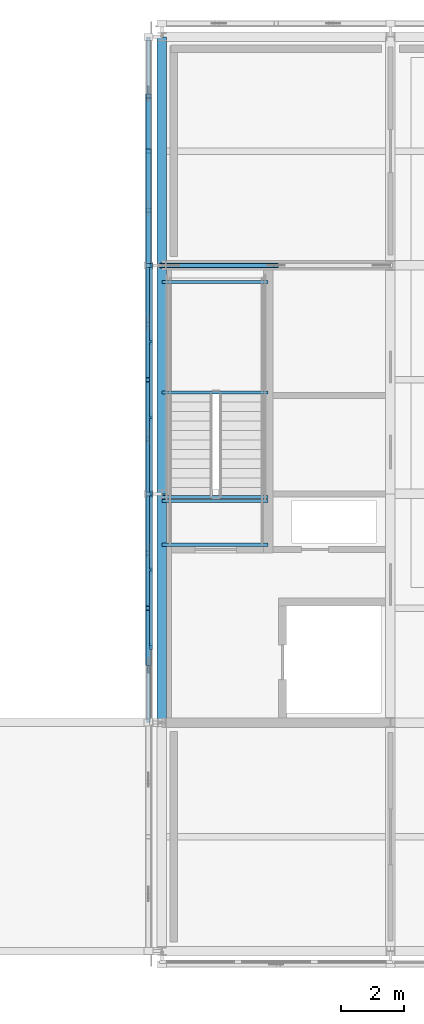
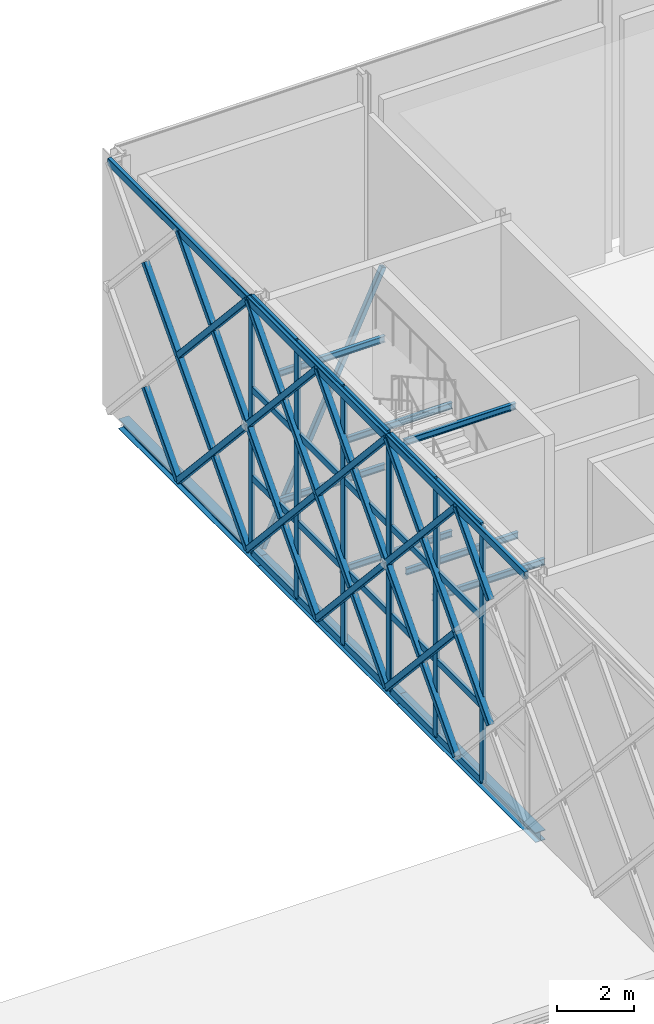
# One storey, part 42 of 76: 59 members, 10 beams, 2 elements without a shape of their own.
"""IFC4 building model written with IfcOpenShell, lengths in metres."""

from ifc_helpers import new_model, si_unit, direction, frame, origin, origin_2d, place, context, subcontext, project, spatial, rectangle, hollow_rectangle, i_section, extrude, material, material_profile, profile_set, type_object, element, aggregate, save


model = new_model("IFC4")

# Units and contexts
model_context = context("Model", 3, precision=1e-05, world=origin(), true_north=direction((0.0, 1.0)))
body_context = subcontext(model_context, "Body", "Model", "MODEL_VIEW")
ifc_project = project(units=[si_unit("LENGTHUNIT", "METRE"), si_unit("AREAUNIT", "SQUARE_METRE"), si_unit("VOLUMEUNIT", "CUBIC_METRE"), si_unit("PLANEANGLEUNIT", "RADIAN"), si_unit("MASSUNIT", "GRAM", prefix="KILO")], contexts=[model_context])

# Site, building, storey
site_placement = place(None, origin())
site = spatial("IfcSite", under=ifc_project, at=site_placement, CompositionType="ELEMENT")
building_placement = place(site_placement, origin())
building = spatial("IfcBuilding", under=site, at=building_placement, Name="Zlatovets Crest Museum", CompositionType="ELEMENT")
storey_placement = place(building_placement, frame((0.0, 0.0, 17.10009765625)))
storey = spatial("IfcBuildingStorey", under=building, at=storey_placement, Name="L04", CompositionType="ELEMENT", Elevation=17.10009765625)

# Beams
ifc_material_1 = material(Name="Structural steel S355J2", Category="steel")
ifc_material_profile_1 = material_profile(ifc_material_1, i_section(OverallWidth=0.300048828125, OverallDepth=0.31005859375, WebThickness=0.009033203125, FlangeThickness=0.015380859375, FilletRadius=0.027099609375, at=origin_2d()), Name="HEA 320")
ifc_profile_set_1 = profile_set([ifc_material_profile_1], Name="Structural steel S355J2")
beam_type_1 = type_object("IfcBeamType", Name="Beam_B-04", PredefinedType="BEAM", material=ifc_profile_set_1)
for number, where, z_axis, x_axis, name in (
    (1, (57.60009765625, 93.60009765625, -0.39501953125), (0.0, 1.0, 0.0), (-1.0, 0.0, 0.0), "V1 L04 Grid Beam B-04"),
    (2, (57.60009765625, 100.800048828125, -0.39501953125), (0.0, 1.0, 0.0), (-1.0, 0.0, 0.0), "V1 L04 Grid Beam B-04"),
    (3, (57.60009765625, 108.0, -0.39501953125), (0.0, 1.0, 0.0), (-1.0, 0.0, 0.0), "V1 L04 Grid Beam B-04"),
):
    element("IfcBeam", number, at=place(storey_placement, frame(where, z_axis=z_axis, x_axis=x_axis)), inside=storey, type_object=beam_type_1, Name=name, PredefinedType="BEAM", context=body_context, shape_type="SweptSolid", body=[
        extrude(i_section(OverallWidth=0.300048828125, OverallDepth=0.31005859375, WebThickness=0.009033203125, FlangeThickness=0.015380859375, FilletRadius=0.027099609375, at=origin_2d()), origin(), (0.0, 0.0, 1.0), 7.199951171875),
    ])
ifc_material_profile_2 = material_profile(ifc_material_1, i_section(OverallWidth=0.10009765625, OverallDepth=0.199951171875, WebThickness=0.005615234375, FlangeThickness=0.008544921875, FilletRadius=0.011962890625, at=origin_2d()), Name="IPE 200")
ifc_profile_set_2 = profile_set([ifc_material_profile_2], Name="Structural steel S355J2")
beam_type_2 = type_object("IfcBeamType", Name="Beam_PR-02", PredefinedType="LINTEL", material=ifc_profile_set_2)
for number, where, z_axis, x_axis, name in (
    (4, (57.60009765625, 100.699951171875, 7.760009765625), (1.0, 0.0, 0.0), (0.0, 1.0, 0.0), "Core C1 L04 Stair Well Header Beam"),
    (5, (57.60009765625, 104.0, 1.724853515625), (1.0, 0.0, 0.0), (0.0, 1.0, 0.0), "Core C1 L04 Half-Landing Support Beam"),
    (6, (57.60009765625, 107.47998046875, 1.724853515625), (1.0, 0.0, 0.0), (0.0, 1.0, 0.0), "Core C1 L04 Half-Landing Support Beam"),
    (7, (57.60009765625, 99.199951171875, 3.75), (1.0, 0.0, 0.0), (0.0, 1.0, 0.0), "Core C1 L04 Half-Landing Support Beam"),
    (8, (57.60009765625, 100.580078125, 3.75), (1.0, 0.0, 0.0), (0.0, 1.0, 0.0), "Core C1 L04 Half-Landing Support Beam"),
    (9, (57.60009765625, 104.0, 5.77490234375), (1.0, 0.0, 0.0), (0.0, 1.0, 0.0), "Core C1 L04 Half-Landing Support Beam"),
    (10, (57.60009765625, 107.47998046875, 5.77490234375), (1.0, 0.0, 0.0), (0.0, 1.0, 0.0), "Core C1 L04 Half-Landing Support Beam"),
):
    element("IfcBeam", number, at=place(storey_placement, frame(where, z_axis=z_axis, x_axis=x_axis)), inside=storey, type_object=beam_type_2, Name=name, PredefinedType="LINTEL", context=body_context, shape_type="SweptSolid", body=[
        extrude(i_section(OverallWidth=0.10009765625, OverallDepth=0.199951171875, WebThickness=0.005615234375, FlangeThickness=0.008544921875, FilletRadius=0.011962890625, at=origin_2d()), origin(), (0.0, 0.0, 1.0), 3.349853515625),
    ])

# Curtain wall, members
ifc_material_2 = material(Name="Bronze-anodised aluminium and low-E triple glass", Category="aluminium")
curtain_wall_type_1 = type_object("IfcCurtainWallType", Name="CW_CW-V1-L04-M3", PredefinedType="NOTDEFINED", material=ifc_material_2)
curtain_wall_1_placement = place(storey_placement, origin())
curtain_wall_1 = element("IfcCurtainWall", 11, at=curtain_wall_1_placement, inside=storey, type_object=curtain_wall_type_1, Name="V1 L04 Expressed Core Glazed Facade", PredefinedType="NOTDEFINED")
ifc_material_3 = material(Name="Bronze-anodised aluminium EN AW-6060", Category="aluminium")
ifc_material_profile_3 = material_profile(ifc_material_3, rectangle(XDim=0.090087890625, YDim=0.199951171875, at=origin_2d()), Name="ALU 90x200")
ifc_profile_set_3 = profile_set([ifc_material_profile_3], Name="Bronze-anodised aluminium EN AW-6060")
member_type_1 = type_object("IfcMemberType", Name="CWMull_M2", PredefinedType="MULLION", material=ifc_profile_set_3)
member_1_placement = place(storey_placement, frame((57.260009765625, 107.969970703125, 0.0), z_axis=(0.0, 0.0, 1.0), x_axis=(1.0, 0.0, 0.0)))
member_1 = element("IfcMember", 12, at=member_1_placement, type_object=member_type_1, Name="CW-V1-L04-M3 mullion 1", PredefinedType="MULLION", context=body_context, shape_type="SweptSolid", body=[
    extrude(rectangle(XDim=0.090087890625, YDim=0.199951171875, at=origin_2d()), origin(), (0.0, 0.0, 1.0), 8.099853515625),
])
member_2_placement = place(storey_placement, frame((57.260009765625, 105.60009765625, 0.0), z_axis=(0.0, 0.0, 1.0), x_axis=(1.0, 0.0, 0.0)))
member_2 = element("IfcMember", 13, at=member_2_placement, type_object=member_type_1, Name="CW-V1-L04-M3 mullion 2", PredefinedType="MULLION", context=body_context, shape_type="SweptSolid", body=[
    extrude(rectangle(XDim=0.090087890625, YDim=0.199951171875, at=origin_2d()), origin(), (0.0, 0.0, 1.0), 8.099853515625),
])
member_3_placement = place(storey_placement, frame((57.260009765625, 103.199951171875, 0.0), z_axis=(0.0, 0.0, 1.0), x_axis=(1.0, 0.0, 0.0)))
member_3 = element("IfcMember", 14, at=member_3_placement, type_object=member_type_1, Name="CW-V1-L04-M3 mullion 3", PredefinedType="MULLION", context=body_context, shape_type="SweptSolid", body=[
    extrude(rectangle(XDim=0.090087890625, YDim=0.199951171875, at=origin_2d()), origin(), (0.0, 0.0, 1.0), 8.099853515625),
])
member_4_placement = place(storey_placement, frame((57.260009765625, 100.830078125, 0.0), z_axis=(0.0, 0.0, 1.0), x_axis=(1.0, 0.0, 0.0)))
member_4 = element("IfcMember", 15, at=member_4_placement, type_object=member_type_1, Name="CW-V1-L04-M3 mullion 4", PredefinedType="MULLION", context=body_context, shape_type="SweptSolid", body=[
    extrude(rectangle(XDim=0.090087890625, YDim=0.199951171875, at=origin_2d()), origin(), (0.0, 0.0, 1.0), 8.099853515625),
])

curtain_wall_type_2 = type_object("IfcCurtainWallType", Name="CW_CW-V1-L04-M0", PredefinedType="NOTDEFINED", material=ifc_material_2)
curtain_wall_2_placement = place(storey_placement, origin())
curtain_wall_2 = element("IfcCurtainWall", 16, at=curtain_wall_2_placement, inside=storey, type_object=curtain_wall_type_2, Name="V1 L04 Expressed Core Glazed Facade", PredefinedType="NOTDEFINED")
member_5_placement = place(storey_placement, frame((57.260009765625, 100.77001953125, 0.0), z_axis=(0.0, 0.0, 1.0), x_axis=(1.0, 0.0, 0.0)))
member_5 = element("IfcMember", 17, at=member_5_placement, type_object=member_type_1, Name="CW-V1-L04-M0 mullion 1", PredefinedType="MULLION", context=body_context, shape_type="SweptSolid", body=[
    extrude(rectangle(XDim=0.090087890625, YDim=0.199951171875, at=origin_2d()), origin(), (0.0, 0.0, 1.0), 8.099853515625),
])
member_6_placement = place(storey_placement, frame((57.260009765625, 98.39990234375, 0.0), z_axis=(0.0, 0.0, 1.0), x_axis=(1.0, 0.0, 0.0)))
member_6 = element("IfcMember", 18, at=member_6_placement, type_object=member_type_1, Name="CW-V1-L04-M0 mullion 2", PredefinedType="MULLION", context=body_context, shape_type="SweptSolid", body=[
    extrude(rectangle(XDim=0.090087890625, YDim=0.199951171875, at=origin_2d()), origin(), (0.0, 0.0, 1.0), 8.099853515625),
])
member_7_placement = place(storey_placement, frame((57.260009765625, 96.0, 0.0), z_axis=(0.0, 0.0, 1.0), x_axis=(1.0, 0.0, 0.0)))
member_7 = element("IfcMember", 19, at=member_7_placement, type_object=member_type_1, Name="CW-V1-L04-M0 mullion 3", PredefinedType="MULLION", context=body_context, shape_type="SweptSolid", body=[
    extrude(rectangle(XDim=0.090087890625, YDim=0.199951171875, at=origin_2d()), origin(), (0.0, 0.0, 1.0), 8.099853515625),
])

# Member
ifc_material_profile_4 = material_profile(ifc_material_3, rectangle(XDim=0.090087890625, YDim=0.199951171875, at=origin_2d()), Name="ALU 90x200")
ifc_profile_set_4 = profile_set([ifc_material_profile_4], Name="Bronze-anodised aluminium EN AW-6060")
member_type_2 = type_object("IfcMemberType", Name="CWTrans_T2", PredefinedType="USERDEFINED", material=ifc_profile_set_4)
member_8_placement = place(storey_placement, frame((57.260009765625, 107.93994140625, 0.02978515625), z_axis=(0.0, -1.0, 0.0), x_axis=(1.0, 0.0, 0.0)))
member_8 = element("IfcMember", 20, at=member_8_placement, type_object=member_type_2, Name="CW-V1-L04-M3 transom 1.1", ObjectType="TRANSOM", PredefinedType="USERDEFINED", context=body_context, shape_type="SweptSolid", body=[
    extrude(rectangle(XDim=0.090087890625, YDim=0.199951171875, at=origin_2d()), origin(), (0.0, 0.0, 1.0), 2.31005859375),
])

member_9_placement = place(storey_placement, frame((57.260009765625, 107.93994140625, 2.39990234375), z_axis=(0.0, -1.0, 0.0), x_axis=(1.0, 0.0, 0.0)))
member_9 = element("IfcMember", 21, at=member_9_placement, type_object=member_type_2, Name="CW-V1-L04-M3 transom 1.2", ObjectType="TRANSOM", PredefinedType="USERDEFINED", context=body_context, shape_type="SweptSolid", body=[
    extrude(rectangle(XDim=0.090087890625, YDim=0.199951171875, at=origin_2d()), origin(), (0.0, 0.0, 1.0), 2.31005859375),
])

member_10_placement = place(storey_placement, frame((57.260009765625, 107.93994140625, 5.199951171875), z_axis=(0.0, -1.0, 0.0), x_axis=(1.0, 0.0, 0.0)))
member_10 = element("IfcMember", 22, at=member_10_placement, type_object=member_type_2, Name="CW-V1-L04-M3 transom 1.3", ObjectType="TRANSOM", PredefinedType="USERDEFINED", context=body_context, shape_type="SweptSolid", body=[
    extrude(rectangle(XDim=0.090087890625, YDim=0.199951171875, at=origin_2d()), origin(), (0.0, 0.0, 1.0), 2.31005859375),
])

member_11_placement = place(storey_placement, frame((57.260009765625, 107.93994140625, 8.06982421875), z_axis=(0.0, -1.0, 0.0), x_axis=(1.0, 0.0, 0.0)))
member_11 = element("IfcMember", 23, at=member_11_placement, type_object=member_type_2, Name="CW-V1-L04-M3 transom 1.4", ObjectType="TRANSOM", PredefinedType="USERDEFINED", context=body_context, shape_type="SweptSolid", body=[
    extrude(rectangle(XDim=0.090087890625, YDim=0.199951171875, at=origin_2d()), origin(), (0.0, 0.0, 1.0), 2.31005859375),
])

member_12_placement = place(storey_placement, frame((57.260009765625, 105.570068359375, 0.02978515625), z_axis=(0.0, -1.0, 0.0), x_axis=(1.0, 0.0, 0.0)))
member_12 = element("IfcMember", 24, at=member_12_placement, type_object=member_type_2, Name="CW-V1-L04-M3 transom 2.1", ObjectType="TRANSOM", PredefinedType="USERDEFINED", context=body_context, shape_type="SweptSolid", body=[
    extrude(rectangle(XDim=0.090087890625, YDim=0.199951171875, at=origin_2d()), origin(), (0.0, 0.0, 1.0), 2.340087890625),
])

member_13_placement = place(storey_placement, frame((57.260009765625, 105.570068359375, 2.39990234375), z_axis=(0.0, -1.0, 0.0), x_axis=(1.0, 0.0, 0.0)))
member_13 = element("IfcMember", 25, at=member_13_placement, type_object=member_type_2, Name="CW-V1-L04-M3 transom 2.2", ObjectType="TRANSOM", PredefinedType="USERDEFINED", context=body_context, shape_type="SweptSolid", body=[
    extrude(rectangle(XDim=0.090087890625, YDim=0.199951171875, at=origin_2d()), origin(), (0.0, 0.0, 1.0), 2.340087890625),
])

member_14_placement = place(storey_placement, frame((57.260009765625, 105.570068359375, 5.199951171875), z_axis=(0.0, -1.0, 0.0), x_axis=(1.0, 0.0, 0.0)))
member_14 = element("IfcMember", 26, at=member_14_placement, type_object=member_type_2, Name="CW-V1-L04-M3 transom 2.3", ObjectType="TRANSOM", PredefinedType="USERDEFINED", context=body_context, shape_type="SweptSolid", body=[
    extrude(rectangle(XDim=0.090087890625, YDim=0.199951171875, at=origin_2d()), origin(), (0.0, 0.0, 1.0), 2.340087890625),
])

member_15_placement = place(storey_placement, frame((57.260009765625, 105.570068359375, 8.06982421875), z_axis=(0.0, -1.0, 0.0), x_axis=(1.0, 0.0, 0.0)))
member_15 = element("IfcMember", 27, at=member_15_placement, type_object=member_type_2, Name="CW-V1-L04-M3 transom 2.4", ObjectType="TRANSOM", PredefinedType="USERDEFINED", context=body_context, shape_type="SweptSolid", body=[
    extrude(rectangle(XDim=0.090087890625, YDim=0.199951171875, at=origin_2d()), origin(), (0.0, 0.0, 1.0), 2.340087890625),
])

member_16_placement = place(storey_placement, frame((57.260009765625, 103.169921875, 0.02978515625), z_axis=(0.0, -1.0, 0.0), x_axis=(1.0, 0.0, 0.0)))
member_16 = element("IfcMember", 28, at=member_16_placement, type_object=member_type_2, Name="CW-V1-L04-M3 transom 3.1", ObjectType="TRANSOM", PredefinedType="USERDEFINED", context=body_context, shape_type="SweptSolid", body=[
    extrude(rectangle(XDim=0.090087890625, YDim=0.199951171875, at=origin_2d()), origin(), (0.0, 0.0, 1.0), 2.309814453125),
])

member_17_placement = place(storey_placement, frame((57.260009765625, 103.169921875, 2.39990234375), z_axis=(0.0, -1.0, 0.0), x_axis=(1.0, 0.0, 0.0)))
member_17 = element("IfcMember", 29, at=member_17_placement, type_object=member_type_2, Name="CW-V1-L04-M3 transom 3.2", ObjectType="TRANSOM", PredefinedType="USERDEFINED", context=body_context, shape_type="SweptSolid", body=[
    extrude(rectangle(XDim=0.090087890625, YDim=0.199951171875, at=origin_2d()), origin(), (0.0, 0.0, 1.0), 2.309814453125),
])

member_18_placement = place(storey_placement, frame((57.260009765625, 103.169921875, 5.199951171875), z_axis=(0.0, -1.0, 0.0), x_axis=(1.0, 0.0, 0.0)))
member_18 = element("IfcMember", 30, at=member_18_placement, type_object=member_type_2, Name="CW-V1-L04-M3 transom 3.3", ObjectType="TRANSOM", PredefinedType="USERDEFINED", context=body_context, shape_type="SweptSolid", body=[
    extrude(rectangle(XDim=0.090087890625, YDim=0.199951171875, at=origin_2d()), origin(), (0.0, 0.0, 1.0), 2.309814453125),
])

member_19_placement = place(storey_placement, frame((57.260009765625, 103.169921875, 8.06982421875), z_axis=(0.0, -1.0, 0.0), x_axis=(1.0, 0.0, 0.0)))
member_19 = element("IfcMember", 31, at=member_19_placement, type_object=member_type_2, Name="CW-V1-L04-M3 transom 3.4", ObjectType="TRANSOM", PredefinedType="USERDEFINED", context=body_context, shape_type="SweptSolid", body=[
    extrude(rectangle(XDim=0.090087890625, YDim=0.199951171875, at=origin_2d()), origin(), (0.0, 0.0, 1.0), 2.309814453125),
])

aggregate(curtain_wall_1, [member_1, member_2, member_3, member_4, member_8, member_9, member_10, member_11, member_12, member_13, member_14, member_15, member_16, member_17, member_18, member_19])

member_20_placement = place(storey_placement, frame((57.260009765625, 100.739990234375, 0.02978515625), z_axis=(0.0, -1.0, 0.0), x_axis=(1.0, 0.0, 0.0)))
member_20 = element("IfcMember", 32, at=member_20_placement, type_object=member_type_2, Name="CW-V1-L04-M0 transom 1.1", ObjectType="TRANSOM", PredefinedType="USERDEFINED", context=body_context, shape_type="SweptSolid", body=[
    extrude(rectangle(XDim=0.090087890625, YDim=0.199951171875, at=origin_2d()), origin(), (0.0, 0.0, 1.0), 2.31005859375),
])

member_21_placement = place(storey_placement, frame((57.260009765625, 100.739990234375, 2.39990234375), z_axis=(0.0, -1.0, 0.0), x_axis=(1.0, 0.0, 0.0)))
member_21 = element("IfcMember", 33, at=member_21_placement, type_object=member_type_2, Name="CW-V1-L04-M0 transom 1.2", ObjectType="TRANSOM", PredefinedType="USERDEFINED", context=body_context, shape_type="SweptSolid", body=[
    extrude(rectangle(XDim=0.090087890625, YDim=0.199951171875, at=origin_2d()), origin(), (0.0, 0.0, 1.0), 2.31005859375),
])

member_22_placement = place(storey_placement, frame((57.260009765625, 100.739990234375, 5.199951171875), z_axis=(0.0, -1.0, 0.0), x_axis=(1.0, 0.0, 0.0)))
member_22 = element("IfcMember", 34, at=member_22_placement, type_object=member_type_2, Name="CW-V1-L04-M0 transom 1.3", ObjectType="TRANSOM", PredefinedType="USERDEFINED", context=body_context, shape_type="SweptSolid", body=[
    extrude(rectangle(XDim=0.090087890625, YDim=0.199951171875, at=origin_2d()), origin(), (0.0, 0.0, 1.0), 2.31005859375),
])

member_23_placement = place(storey_placement, frame((57.260009765625, 100.739990234375, 8.06982421875), z_axis=(0.0, -1.0, 0.0), x_axis=(1.0, 0.0, 0.0)))
member_23 = element("IfcMember", 35, at=member_23_placement, type_object=member_type_2, Name="CW-V1-L04-M0 transom 1.4", ObjectType="TRANSOM", PredefinedType="USERDEFINED", context=body_context, shape_type="SweptSolid", body=[
    extrude(rectangle(XDim=0.090087890625, YDim=0.199951171875, at=origin_2d()), origin(), (0.0, 0.0, 1.0), 2.31005859375),
])

member_24_placement = place(storey_placement, frame((57.260009765625, 98.3701171875, 0.02978515625), z_axis=(0.0, -1.0, 0.0), x_axis=(1.0, 0.0, 0.0)))
member_24 = element("IfcMember", 36, at=member_24_placement, type_object=member_type_2, Name="CW-V1-L04-M0 transom 2.1", ObjectType="TRANSOM", PredefinedType="USERDEFINED", context=body_context, shape_type="SweptSolid", body=[
    extrude(rectangle(XDim=0.090087890625, YDim=0.199951171875, at=origin_2d()), origin(), (0.0, 0.0, 1.0), 2.340087890625),
])

member_25_placement = place(storey_placement, frame((57.260009765625, 98.3701171875, 2.39990234375), z_axis=(0.0, -1.0, 0.0), x_axis=(1.0, 0.0, 0.0)))
member_25 = element("IfcMember", 37, at=member_25_placement, type_object=member_type_2, Name="CW-V1-L04-M0 transom 2.2", ObjectType="TRANSOM", PredefinedType="USERDEFINED", context=body_context, shape_type="SweptSolid", body=[
    extrude(rectangle(XDim=0.090087890625, YDim=0.199951171875, at=origin_2d()), origin(), (0.0, 0.0, 1.0), 2.340087890625),
])

member_26_placement = place(storey_placement, frame((57.260009765625, 98.3701171875, 5.199951171875), z_axis=(0.0, -1.0, 0.0), x_axis=(1.0, 0.0, 0.0)))
member_26 = element("IfcMember", 38, at=member_26_placement, type_object=member_type_2, Name="CW-V1-L04-M0 transom 2.3", ObjectType="TRANSOM", PredefinedType="USERDEFINED", context=body_context, shape_type="SweptSolid", body=[
    extrude(rectangle(XDim=0.090087890625, YDim=0.199951171875, at=origin_2d()), origin(), (0.0, 0.0, 1.0), 2.340087890625),
])

member_27_placement = place(storey_placement, frame((57.260009765625, 98.3701171875, 8.06982421875), z_axis=(0.0, -1.0, 0.0), x_axis=(1.0, 0.0, 0.0)))
member_27 = element("IfcMember", 39, at=member_27_placement, type_object=member_type_2, Name="CW-V1-L04-M0 transom 2.4", ObjectType="TRANSOM", PredefinedType="USERDEFINED", context=body_context, shape_type="SweptSolid", body=[
    extrude(rectangle(XDim=0.090087890625, YDim=0.199951171875, at=origin_2d()), origin(), (0.0, 0.0, 1.0), 2.340087890625),
])

aggregate(curtain_wall_2, [member_5, member_6, member_7, member_20, member_21, member_22, member_23, member_24, member_25, member_26, member_27])

# Members
ifc_material_4 = material(Name="Weathering bronze-steel S355J2W", Category="steel")
ifc_material_profile_5 = material_profile(ifc_material_4, hollow_rectangle(XDim=0.179931640625, YDim=0.179931640625, WallThickness=0.010009765625, InnerFilletRadius=0.010009765625, OuterFilletRadius=0.02001953125, at=origin_2d()), Name="SHS 180x180x10.0")
ifc_profile_set_5 = profile_set([ifc_material_profile_5], Name="Weathering bronze-steel S355J2W")
member_type_3 = type_object("IfcMemberType", Name="Lattice_XL-01", PredefinedType="BRACE", material=ifc_profile_set_5)
member_28_placement = place(storey_placement, frame((57.179931640625, 113.3359375, 2.004638671875), z_axis=(0.0, -0.673568214247, -0.739125064354), x_axis=(1.0, 0.0, 0.0)))
element("IfcMember", 40, at=member_28_placement, inside=storey, type_object=member_type_3, Name="Split Crossing Bronze Lattice Diagonal Lower", PredefinedType="BRACE", context=body_context, shape_type="SweptSolid", body=[
    extrude(hollow_rectangle(XDim=0.179931640625, YDim=0.179931640625, WallThickness=0.010009765625, InnerFilletRadius=0.010009765625, OuterFilletRadius=0.02001953125, at=origin_2d()), origin(), (0.0, 0.0, 1.0), 2.5771484375),
])
member_29_placement = place(storey_placement, frame((57.179931640625, 111.60009765625, 0.099853515625), z_axis=(0.0, -0.673618118362, 0.739079583411), x_axis=(1.0, 0.0, 0.0)))
element("IfcMember", 41, at=member_29_placement, inside=storey, type_object=member_type_3, Name="Continuous Bronze Lattice Diagonal", PredefinedType="BRACE", context=body_context, shape_type="SweptSolid", body=[
    extrude(hollow_rectangle(XDim=0.179931640625, YDim=0.179931640625, WallThickness=0.010009765625, InnerFilletRadius=0.010009765625, OuterFilletRadius=0.02001953125, at=origin_2d()), origin(), (0.0, 0.0, 1.0), 5.344482421875),
])
for number, where, z_axis, x_axis, name in (
    (42, (57.179931640625, 111.60009765625, 4.0498046875), (0.0, -0.673619963761, -0.739077901457), (1.0, 0.0, 0.0), "Split Crossing Bronze Lattice Diagonal Upper"),
    (43, (57.179931640625, 109.736083984375, 2.004638671875), (0.0, -0.673619963761, -0.739077901457), (1.0, 0.0, 0.0), "Split Crossing Bronze Lattice Diagonal Lower"),
    (44, (57.179931640625, 113.3359375, 5.95458984375), (0.0, -0.673568214247, -0.739125064354), (1.0, 0.0, 0.0), "Split Crossing Bronze Lattice Diagonal Lower"),
):
    element("IfcMember", number, at=place(storey_placement, frame(where, z_axis=z_axis, x_axis=x_axis)), inside=storey, type_object=member_type_3, Name=name, PredefinedType="BRACE", context=body_context, shape_type="SweptSolid", body=[
        extrude(hollow_rectangle(XDim=0.179931640625, YDim=0.179931640625, WallThickness=0.010009765625, InnerFilletRadius=0.010009765625, OuterFilletRadius=0.02001953125, at=origin_2d()), origin(), (0.0, 0.0, 1.0), 2.5771484375),
    ])
member_30_placement = place(storey_placement, frame((57.179931640625, 111.60009765625, 4.0498046875), z_axis=(0.0, -0.673595375981, 0.739100310822), x_axis=(1.0, 0.0, 0.0)))
element("IfcMember", 45, at=member_30_placement, inside=storey, type_object=member_type_3, Name="Continuous Bronze Lattice Diagonal", PredefinedType="BRACE", context=body_context, shape_type="SweptSolid", body=[
    extrude(hollow_rectangle(XDim=0.179931640625, YDim=0.179931640625, WallThickness=0.010009765625, InnerFilletRadius=0.010009765625, OuterFilletRadius=0.02001953125, at=origin_2d()), origin(), (0.0, 0.0, 1.0), 5.344482421875),
])
for number, where, z_axis, x_axis, name in (
    (46, (57.179931640625, 111.60009765625, 8.0), (0.0, -0.673619963761, -0.739077901457), (1.0, 0.0, 0.0), "Split Crossing Bronze Lattice Diagonal Upper"),
    (47, (57.179931640625, 109.736083984375, 5.95458984375), (0.0, -0.673619963761, -0.739077901457), (1.0, 0.0, 0.0), "Split Crossing Bronze Lattice Diagonal Lower"),
):
    element("IfcMember", number, at=place(storey_placement, frame(where, z_axis=z_axis, x_axis=x_axis)), inside=storey, type_object=member_type_3, Name=name, PredefinedType="BRACE", context=body_context, shape_type="SweptSolid", body=[
        extrude(hollow_rectangle(XDim=0.179931640625, YDim=0.179931640625, WallThickness=0.010009765625, InnerFilletRadius=0.010009765625, OuterFilletRadius=0.02001953125, at=origin_2d()), origin(), (0.0, 0.0, 1.0), 2.5771484375),
    ])
member_31_placement = place(storey_placement, frame((57.179931640625, 108.0, 0.099853515625), z_axis=(0.0, -0.673618118362, 0.739079583411), x_axis=(1.0, 0.0, 0.0)))
element("IfcMember", 48, at=member_31_placement, inside=storey, type_object=member_type_3, Name="Continuous Bronze Lattice Diagonal", PredefinedType="BRACE", context=body_context, shape_type="SweptSolid", body=[
    extrude(hollow_rectangle(XDim=0.179931640625, YDim=0.179931640625, WallThickness=0.010009765625, InnerFilletRadius=0.010009765625, OuterFilletRadius=0.02001953125, at=origin_2d()), origin(), (0.0, 0.0, 1.0), 5.344482421875),
])
for number, where, z_axis, x_axis, name in (
    (49, (57.179931640625, 108.0, 4.0498046875), (0.0, -0.673619963761, -0.739077901457), (1.0, 0.0, 0.0), "Split Crossing Bronze Lattice Diagonal Upper"),
    (50, (57.179931640625, 106.135986328125, 2.004638671875), (0.0, -0.673619963761, -0.739077901457), (1.0, 0.0, 0.0), "Split Crossing Bronze Lattice Diagonal Lower"),
):
    element("IfcMember", number, at=place(storey_placement, frame(where, z_axis=z_axis, x_axis=x_axis)), inside=storey, type_object=member_type_3, Name=name, PredefinedType="BRACE", context=body_context, shape_type="SweptSolid", body=[
        extrude(hollow_rectangle(XDim=0.179931640625, YDim=0.179931640625, WallThickness=0.010009765625, InnerFilletRadius=0.010009765625, OuterFilletRadius=0.02001953125, at=origin_2d()), origin(), (0.0, 0.0, 1.0), 2.5771484375),
    ])
member_32_placement = place(storey_placement, frame((57.179931640625, 104.39990234375, 0.099853515625), z_axis=(0.0, -0.673593164257, 0.739102326519), x_axis=(1.0, 0.0, 0.0)))
element("IfcMember", 51, at=member_32_placement, inside=storey, type_object=member_type_3, Name="Continuous Bronze Lattice Diagonal", PredefinedType="BRACE", context=body_context, shape_type="SweptSolid", body=[
    extrude(hollow_rectangle(XDim=0.179931640625, YDim=0.179931640625, WallThickness=0.010009765625, InnerFilletRadius=0.010009765625, OuterFilletRadius=0.02001953125, at=origin_2d()), origin(), (0.0, 0.0, 1.0), 5.34423828125),
])
for number, where, z_axis, x_axis, name in (
    (52, (57.179931640625, 104.39990234375, 4.0498046875), (0.0, -0.673568214247, -0.739125064354), (1.0, 0.0, 0.0), "Split Crossing Bronze Lattice Diagonal Upper"),
    (53, (57.179931640625, 102.535888671875, 2.004638671875), (0.0, -0.673568214247, -0.739125064354), (1.0, 0.0, 0.0), "Split Crossing Bronze Lattice Diagonal Lower"),
):
    element("IfcMember", number, at=place(storey_placement, frame(where, z_axis=z_axis, x_axis=x_axis)), inside=storey, type_object=member_type_3, Name=name, PredefinedType="BRACE", context=body_context, shape_type="SweptSolid", body=[
        extrude(hollow_rectangle(XDim=0.179931640625, YDim=0.179931640625, WallThickness=0.010009765625, InnerFilletRadius=0.010009765625, OuterFilletRadius=0.02001953125, at=origin_2d()), origin(), (0.0, 0.0, 1.0), 2.5771484375),
    ])
member_33_placement = place(storey_placement, frame((57.179931640625, 108.0, 4.0498046875), z_axis=(0.0, -0.673595375981, 0.739100310822), x_axis=(1.0, 0.0, 0.0)))
element("IfcMember", 54, at=member_33_placement, inside=storey, type_object=member_type_3, Name="Continuous Bronze Lattice Diagonal", PredefinedType="BRACE", context=body_context, shape_type="SweptSolid", body=[
    extrude(hollow_rectangle(XDim=0.179931640625, YDim=0.179931640625, WallThickness=0.010009765625, InnerFilletRadius=0.010009765625, OuterFilletRadius=0.02001953125, at=origin_2d()), origin(), (0.0, 0.0, 1.0), 5.344482421875),
])
for number, where, z_axis, x_axis, name in (
    (55, (57.179931640625, 108.0, 8.0), (0.0, -0.673619963761, -0.739077901457), (1.0, 0.0, 0.0), "Split Crossing Bronze Lattice Diagonal Upper"),
    (56, (57.179931640625, 106.135986328125, 5.95458984375), (0.0, -0.673619963761, -0.739077901457), (1.0, 0.0, 0.0), "Split Crossing Bronze Lattice Diagonal Lower"),
):
    element("IfcMember", number, at=place(storey_placement, frame(where, z_axis=z_axis, x_axis=x_axis)), inside=storey, type_object=member_type_3, Name=name, PredefinedType="BRACE", context=body_context, shape_type="SweptSolid", body=[
        extrude(hollow_rectangle(XDim=0.179931640625, YDim=0.179931640625, WallThickness=0.010009765625, InnerFilletRadius=0.010009765625, OuterFilletRadius=0.02001953125, at=origin_2d()), origin(), (0.0, 0.0, 1.0), 2.5771484375),
    ])
member_34_placement = place(storey_placement, frame((57.179931640625, 104.39990234375, 4.0498046875), z_axis=(0.0, -0.67357042132, 0.739123053032), x_axis=(1.0, 0.0, 0.0)))
element("IfcMember", 57, at=member_34_placement, inside=storey, type_object=member_type_3, Name="Continuous Bronze Lattice Diagonal", PredefinedType="BRACE", context=body_context, shape_type="SweptSolid", body=[
    extrude(hollow_rectangle(XDim=0.179931640625, YDim=0.179931640625, WallThickness=0.010009765625, InnerFilletRadius=0.010009765625, OuterFilletRadius=0.02001953125, at=origin_2d()), origin(), (0.0, 0.0, 1.0), 5.344482421875),
])
for number, where, z_axis, x_axis, name in (
    (58, (57.179931640625, 104.39990234375, 8.0), (0.0, -0.673568214247, -0.739125064354), (1.0, 0.0, 0.0), "Split Crossing Bronze Lattice Diagonal Upper"),
    (59, (57.179931640625, 102.535888671875, 5.95458984375), (0.0, -0.673568214247, -0.739125064354), (1.0, 0.0, 0.0), "Split Crossing Bronze Lattice Diagonal Lower"),
):
    element("IfcMember", number, at=place(storey_placement, frame(where, z_axis=z_axis, x_axis=x_axis)), inside=storey, type_object=member_type_3, Name=name, PredefinedType="BRACE", context=body_context, shape_type="SweptSolid", body=[
        extrude(hollow_rectangle(XDim=0.179931640625, YDim=0.179931640625, WallThickness=0.010009765625, InnerFilletRadius=0.010009765625, OuterFilletRadius=0.02001953125, at=origin_2d()), origin(), (0.0, 0.0, 1.0), 2.5771484375),
    ])
member_35_placement = place(storey_placement, frame((57.179931640625, 100.800048828125, 0.099853515625), z_axis=(0.0, -0.673618118362, 0.739079583411), x_axis=(1.0, 0.0, 0.0)))
element("IfcMember", 60, at=member_35_placement, inside=storey, type_object=member_type_3, Name="Continuous Bronze Lattice Diagonal", PredefinedType="BRACE", context=body_context, shape_type="SweptSolid", body=[
    extrude(hollow_rectangle(XDim=0.179931640625, YDim=0.179931640625, WallThickness=0.010009765625, InnerFilletRadius=0.010009765625, OuterFilletRadius=0.02001953125, at=origin_2d()), origin(), (0.0, 0.0, 1.0), 5.344482421875),
])
for number, where, z_axis, x_axis, name in (
    (61, (57.179931640625, 100.800048828125, 4.0498046875), (0.0, -0.673619963761, -0.739077901457), (1.0, 0.0, 0.0), "Split Crossing Bronze Lattice Diagonal Upper"),
    (62, (57.179931640625, 98.93603515625, 2.004638671875), (0.0, -0.673619963761, -0.739077901457), (1.0, 0.0, 0.0), "Split Crossing Bronze Lattice Diagonal Lower"),
    (63, (57.179931640625, 97.199951171875, 4.0498046875), (0.0, -0.673568214247, -0.739125064354), (1.0, 0.0, 0.0), "Split Crossing Bronze Lattice Diagonal Upper"),
):
    element("IfcMember", number, at=place(storey_placement, frame(where, z_axis=z_axis, x_axis=x_axis)), inside=storey, type_object=member_type_3, Name=name, PredefinedType="BRACE", context=body_context, shape_type="SweptSolid", body=[
        extrude(hollow_rectangle(XDim=0.179931640625, YDim=0.179931640625, WallThickness=0.010009765625, InnerFilletRadius=0.010009765625, OuterFilletRadius=0.02001953125, at=origin_2d()), origin(), (0.0, 0.0, 1.0), 2.5771484375),
    ])
member_36_placement = place(storey_placement, frame((57.179931640625, 100.800048828125, 4.0498046875), z_axis=(0.0, -0.673595375981, 0.739100310822), x_axis=(1.0, 0.0, 0.0)))
element("IfcMember", 64, at=member_36_placement, inside=storey, type_object=member_type_3, Name="Continuous Bronze Lattice Diagonal", PredefinedType="BRACE", context=body_context, shape_type="SweptSolid", body=[
    extrude(hollow_rectangle(XDim=0.179931640625, YDim=0.179931640625, WallThickness=0.010009765625, InnerFilletRadius=0.010009765625, OuterFilletRadius=0.02001953125, at=origin_2d()), origin(), (0.0, 0.0, 1.0), 5.344482421875),
])
for number, where, z_axis, x_axis, name in (
    (65, (57.179931640625, 100.800048828125, 8.0), (0.0, -0.673619963761, -0.739077901457), (1.0, 0.0, 0.0), "Split Crossing Bronze Lattice Diagonal Upper"),
    (66, (57.179931640625, 98.93603515625, 5.95458984375), (0.0, -0.673619963761, -0.739077901457), (1.0, 0.0, 0.0), "Split Crossing Bronze Lattice Diagonal Lower"),
    (67, (57.179931640625, 97.199951171875, 8.0), (0.0, -0.673568214247, -0.739125064354), (1.0, 0.0, 0.0), "Split Crossing Bronze Lattice Diagonal Upper"),
):
    element("IfcMember", number, at=place(storey_placement, frame(where, z_axis=z_axis, x_axis=x_axis)), inside=storey, type_object=member_type_3, Name=name, PredefinedType="BRACE", context=body_context, shape_type="SweptSolid", body=[
        extrude(hollow_rectangle(XDim=0.179931640625, YDim=0.179931640625, WallThickness=0.010009765625, InnerFilletRadius=0.010009765625, OuterFilletRadius=0.02001953125, at=origin_2d()), origin(), (0.0, 0.0, 1.0), 2.5771484375),
    ])
ifc_material_profile_6 = material_profile(ifc_material_4, hollow_rectangle(XDim=0.1201171875, YDim=0.239990234375, WallThickness=0.010009765625, InnerFilletRadius=0.010009765625, OuterFilletRadius=0.02001953125, at=origin_2d()), Name="RHS 120x240x10.0")
ifc_profile_set_6 = profile_set([ifc_material_profile_6], Name="Weathering bronze-steel S355J2W")
member_type_4 = type_object("IfcMemberType", Name="Lattice_XL-04", PredefinedType="CHORD", material=ifc_profile_set_6)
for number, where, z_axis, x_axis, name in (
    (68, (57.179931640625, 115.199951171875, 8.0), (0.0, -1.0, 0.0), (1.0, 0.0, 0.0), "Art Nouveau Woven Cage Collector Ring Chord"),
    (69, (57.179931640625, 108.0, 8.0), (0.0, -1.0, 0.0), (1.0, 0.0, 0.0), "Art Nouveau Woven Cage Collector Ring Chord"),
    (70, (57.179931640625, 100.800048828125, 8.0), (0.0, -1.0, 0.0), (1.0, 0.0, 0.0), "Art Nouveau Woven Cage Collector Ring Chord"),
):
    element("IfcMember", number, at=place(storey_placement, frame(where, z_axis=z_axis, x_axis=x_axis)), inside=storey, type_object=member_type_4, Name=name, PredefinedType="CHORD", context=body_context, shape_type="SweptSolid", body=[
        extrude(hollow_rectangle(XDim=0.1201171875, YDim=0.239990234375, WallThickness=0.010009765625, InnerFilletRadius=0.010009765625, OuterFilletRadius=0.02001953125, at=origin_2d()), origin(), (0.0, 0.0, 1.0), 7.199951171875),
    ])
ifc_material_profile_7 = material_profile(ifc_material_1, hollow_rectangle(XDim=0.14990234375, YDim=0.14990234375, WallThickness=0.008056640625, InnerFilletRadius=0.008056640625, OuterFilletRadius=0.01611328125, at=origin_2d()), Name="SHS 150x150x8.0")
ifc_profile_set_7 = profile_set([ifc_material_profile_7], Name="Structural steel S355J2")
member_type_5 = type_object("IfcMemberType", Name="Member_BR-04", PredefinedType="BRACE", material=ifc_profile_set_7)
member_37_placement = place(storey_placement, frame((57.60009765625, 108.0, 0.0), z_axis=(0.425787301659, 0.0, 0.904823283159), x_axis=(0.0, 1.0, 0.0)))
element("IfcMember", 71, at=member_37_placement, inside=storey, type_object=member_type_5, Name="V1 L04 Concentric Seismic Brace", PredefinedType="BRACE", context=body_context, shape_type="SweptSolid", body=[
    extrude(hollow_rectangle(XDim=0.14990234375, YDim=0.14990234375, WallThickness=0.008056640625, InnerFilletRadius=0.008056640625, OuterFilletRadius=0.01611328125, at=origin_2d()), origin(), (0.0, 0.0, 1.0), 8.45458984375),
])

save(model, "model.ifc")
